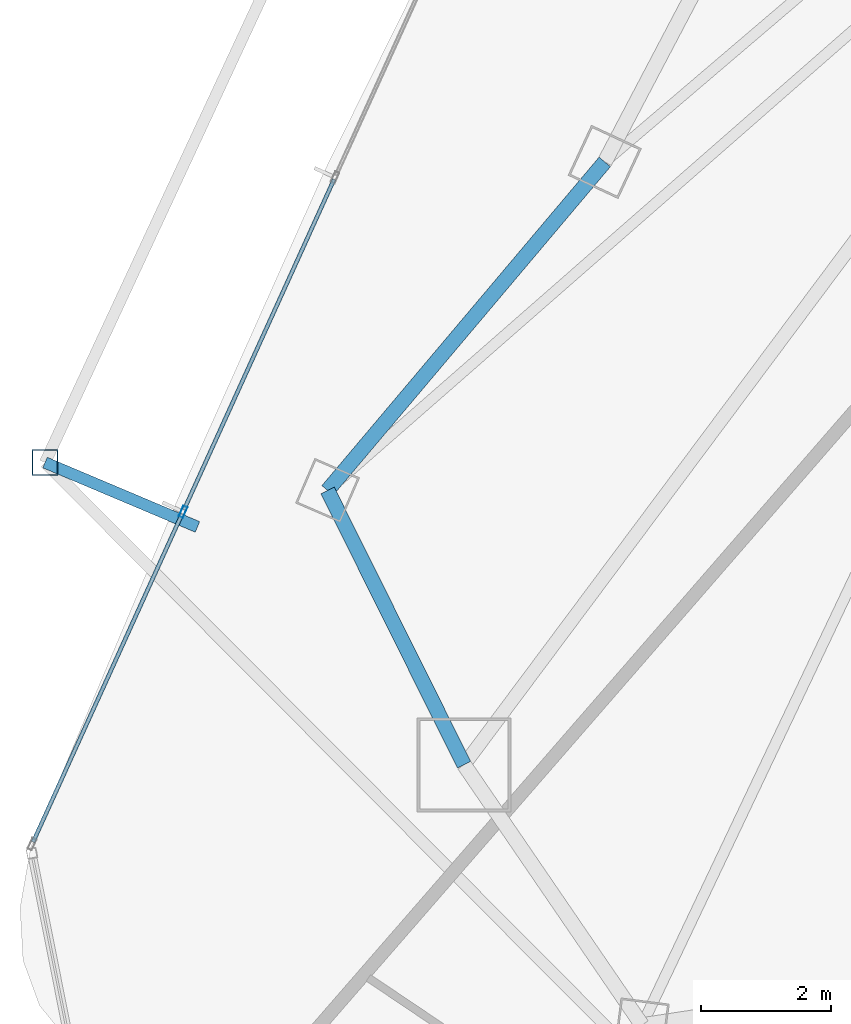
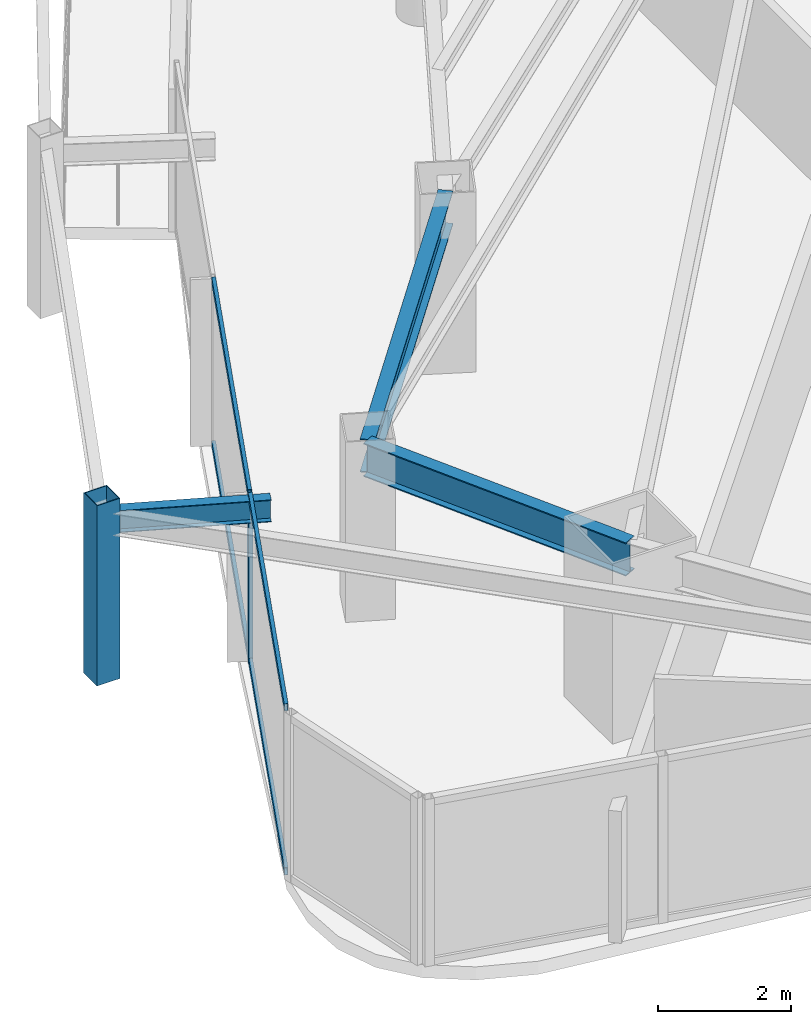
# One storey, part 5 of 30: 6 members, 3 beams, 1 element without a shape of its own.
"""IFC4 building model written with IfcOpenShell, lengths in metres."""

from ifc_helpers import new_model, si_unit, direction, frame, origin, origin_2d, place, context, subcontext, project, spatial, hollow_rectangle, i_section, extrude, material, layer, layer_set, material_profile, profile_set, type_object, element, aggregate, save


model = new_model("IFC4")

# Units and contexts
model_context = context("Model", 3, precision=1e-05, world=origin(), true_north=direction((0.0, 1.0)))
body_context = subcontext(model_context, "Body", "Model", "MODEL_VIEW")
ifc_project = project(units=[si_unit("LENGTHUNIT", "METRE"), si_unit("AREAUNIT", "SQUARE_METRE"), si_unit("VOLUMEUNIT", "CUBIC_METRE"), si_unit("PLANEANGLEUNIT", "RADIAN"), si_unit("MASSUNIT", "GRAM", prefix="KILO")], contexts=[model_context])

# Site, building, storey
site_placement = place(None, origin())
site = spatial("IfcSite", under=ifc_project, at=site_placement, CompositionType="ELEMENT")
building_placement = place(site_placement, origin())
building = spatial("IfcBuilding", under=site, at=building_placement, Name="Orvanel Arch Residences", CompositionType="ELEMENT")
storey_placement = place(building_placement, frame((0.0, 0.0, 136.39990234375)))
storey = spatial("IfcBuildingStorey", under=building, at=storey_placement, Name="L38", CompositionType="ELEMENT", Elevation=136.39990234375)

# Curtain wall, member
ifc_material_1 = material(Name="Bronze-anodised aluminium AA6063-T6", Category="aluminium")
ifc_layer = layer(ifc_material_1, 0.179931640625)
ifc_layer_set = layer_set([ifc_layer], Name="Bronze-anodised aluminium AA6063-T6")
curtain_wall_type = type_object("IfcCurtainWallType", Name="CW3-MID-SYS", PredefinedType="NOTDEFINED", material=ifc_layer_set)
curtain_wall_placement = place(storey_placement, origin())
curtain_wall = element("IfcCurtainWall", 1, at=curtain_wall_placement, inside=storey, type_object=curtain_wall_type, Name="L38 CW3-MID-SYS Unitised Curtain Wall", PredefinedType="NOTDEFINED")
ifc_material_profile_1 = material_profile(ifc_material_1, hollow_rectangle(XDim=0.070068359375, YDim=0.179931640625, WallThickness=0.00439453125, at=origin_2d()), Name="ALU180x70x4.5")
ifc_profile_set_1 = profile_set([ifc_material_profile_1], Name="Bronze-anodised aluminium AA6063-T6")
member_type_1 = type_object("IfcMemberType", Name="MUL-180x70", PredefinedType="MULLION", material=ifc_profile_set_1)
member_1_placement = place(storey_placement, frame((9.868408203125, 14.250732421875, 0.0), z_axis=(0.0, 0.0, 1.0), x_axis=(0.910449142842, -0.413621032225, 0.0)))
member_1 = element("IfcMember", 2, at=member_1_placement, type_object=member_type_1, Name="CW-S3 mullion 3", PredefinedType="MULLION", context=body_context, shape_type="SweptSolid", body=[
    extrude(hollow_rectangle(XDim=0.070068359375, YDim=0.179931640625, WallThickness=0.00439453125, at=origin_2d()), origin(), (0.0, 0.0, 1.0), 3.06005859375),
])

# Beams
ifc_material_2 = material(Name="Structural steel AS/NZS 3679.1 Grade 300 (300 MPa)", Category="steel")
ifc_material_profile_2 = material_profile(ifc_material_2, i_section(OverallWidth=0.177978515625, OverallDepth=0.406005859375, WebThickness=0.0078125, FlangeThickness=0.0126953125, at=origin_2d()), Name="410UB59.7")
ifc_profile_set_2 = profile_set([ifc_material_profile_2], Name="Structural steel AS/NZS 3679.1 Grade 300 (300 MPa)")
beam_type_1 = type_object("IfcBeamType", Name="OB-410UB-EXT", PredefinedType="SPANDREL", material=ifc_profile_set_2)
beam_1_placement = place(storey_placement, frame((10.090087890625, 14.01708984375, 2.857177734375), z_axis=(-0.921236599918, 0.389002733888, 0.0), x_axis=(-0.389002733888, -0.921236599918, 0.0)))
element("IfcBeam", 3, at=beam_1_placement, inside=storey, type_object=beam_type_1, Name="L38 Outer Frame Radial Tie Beam 04", PredefinedType="SPANDREL", context=body_context, shape_type="SweptSolid", body=[
    extrude(i_section(OverallWidth=0.177978515625, OverallDepth=0.406005859375, WebThickness=0.0078125, FlangeThickness=0.0126953125, at=origin_2d()), origin(), (0.0, 0.0, 1.0), 2.550048828125),
])
ifc_material_profile_3 = material_profile(ifc_material_2, i_section(OverallWidth=0.22900390625, OverallDepth=0.612060546875, WebThickness=0.011962890625, FlangeThickness=0.01953125, at=origin_2d()), Name="610UB125")
ifc_profile_set_3 = profile_set([ifc_material_profile_3], Name="Structural steel AS/NZS 3679.1 Grade 300 (300 MPa)")
beam_type_2 = type_object("IfcBeamType", Name="SP-610UB", PredefinedType="SPANDREL", material=ifc_profile_set_3)
beam_2_placement = place(storey_placement, frame((16.366943359375, 19.64208984375, 2.754150390625), z_axis=(-0.644950329775, -0.764224490659, 0.0), x_axis=(0.764224490659, -0.644950329775, 0.0)))
element("IfcBeam", 4, at=beam_2_placement, inside=storey, type_object=beam_type_2, Name="L38 Perimeter Spandrel Beam 01", PredefinedType="SPANDREL", context=body_context, shape_type="SweptSolid", body=[
    extrude(i_section(OverallWidth=0.22900390625, OverallDepth=0.612060546875, WebThickness=0.011962890625, FlangeThickness=0.01953125, at=origin_2d()), origin(), (0.0, 0.0, 1.0), 6.623779296875),
])
beam_3_placement = place(storey_placement, frame((12.094970703125, 14.580078125, 2.754150390625), z_axis=(0.44543469453, -0.895314432425, 0.0), x_axis=(0.895314432425, 0.44543469453, 0.0)))
element("IfcBeam", 5, at=beam_3_placement, inside=storey, type_object=beam_type_2, Name="L38 Perimeter Spandrel Beam 02", PredefinedType="SPANDREL", context=body_context, shape_type="SweptSolid", body=[
    extrude(i_section(OverallWidth=0.22900390625, OverallDepth=0.612060546875, WebThickness=0.011962890625, FlangeThickness=0.01953125, at=origin_2d()), origin(), (0.0, 0.0, 1.0), 4.723388671875),
])

# Member
ifc_material_3 = material(Name="Structural steel AS/NZS 1163 C450L0 (Grade 450)", Category="steel")
ifc_material_profile_4 = material_profile(ifc_material_3, hollow_rectangle(XDim=0.39990234375, YDim=0.39990234375, WallThickness=0.01611328125, at=origin_2d()), Name="SHS400x400x16")
ifc_profile_set_4 = profile_set([ifc_material_profile_4], Name="Structural steel AS/NZS 1163 C450L0 (Grade 450)")
member_type_2 = type_object("IfcMemberType", Name="ST-400SHS-EXT", PredefinedType="STRUT", material=ifc_profile_set_4)
member_2_placement = place(storey_placement, frame((7.740966796875, 15.009033203125, 0.0), z_axis=(0.0, 0.0, 1.0), x_axis=(1.0, 0.0, 0.0)))
element("IfcMember", 6, at=member_2_placement, inside=storey, type_object=member_type_2, Name="L38 Outer Perimeter Frame Post 04", PredefinedType="STRUT", context=body_context, shape_type="SweptSolid", body=[
    extrude(hollow_rectangle(XDim=0.39990234375, YDim=0.39990234375, WallThickness=0.01611328125, at=origin_2d()), origin(), (0.0, 0.0, 1.0), 3.300048828125),
])

ifc_material_profile_5 = material_profile(ifc_material_1, hollow_rectangle(XDim=0.06005859375, YDim=0.135009765625, WallThickness=0.00390625, at=origin_2d()), Name="ALU135x60x4")
ifc_profile_set_5 = profile_set([ifc_material_profile_5], Name="Bronze-anodised aluminium AA6063-T6")
member_type_3 = type_object("IfcMemberType", Name="TRN-135x60", PredefinedType="USERDEFINED", material=ifc_profile_set_5)
member_3_placement = place(storey_placement, frame((12.195068359375, 19.37255859375, 0.030029296875), z_axis=(-0.413592363241, -0.910462166742, 0.0), x_axis=(0.910462166742, -0.413592363241, 0.0)))
member_3 = element("IfcMember", 7, at=member_3_placement, type_object=member_type_3, Name="CW-S3 transom 2.1", ObjectType="TRANSOM", PredefinedType="USERDEFINED", context=body_context, shape_type="SweptSolid", body=[
    extrude(hollow_rectangle(XDim=0.06005859375, YDim=0.135009765625, WallThickness=0.00390625, at=origin_2d()), origin(), (0.0, 0.0, 1.0), 5.590576171875),
])

member_4_placement = place(storey_placement, frame((12.195068359375, 19.37255859375, 3.030029296875), z_axis=(-0.413592363241, -0.910462166742, 0.0), x_axis=(0.910462166742, -0.413592363241, 0.0)))
member_4 = element("IfcMember", 8, at=member_4_placement, type_object=member_type_3, Name="CW-S3 transom 2.2", ObjectType="TRANSOM", PredefinedType="USERDEFINED", context=body_context, shape_type="SweptSolid", body=[
    extrude(hollow_rectangle(XDim=0.06005859375, YDim=0.135009765625, WallThickness=0.00390625, at=origin_2d()), origin(), (0.0, 0.0, 1.0), 5.590576171875),
])

member_5_placement = place(storey_placement, frame((9.853759765625, 14.21875, 0.030029296875), z_axis=(-0.413610901204, -0.910453745341, 0.0), x_axis=(0.910453745341, -0.413610901204, 0.0)))
member_5 = element("IfcMember", 9, at=member_5_placement, type_object=member_type_3, Name="CW-S3 transom 3.1", ObjectType="TRANSOM", PredefinedType="USERDEFINED", context=body_context, shape_type="SweptSolid", body=[
    extrude(hollow_rectangle(XDim=0.06005859375, YDim=0.135009765625, WallThickness=0.00390625, at=origin_2d()), origin(), (0.0, 0.0, 1.0), 5.5556640625),
])

member_6_placement = place(storey_placement, frame((9.853759765625, 14.21875, 3.030029296875), z_axis=(-0.413610901204, -0.910453745341, 0.0), x_axis=(0.910453745341, -0.413610901204, 0.0)))
member_6 = element("IfcMember", 10, at=member_6_placement, type_object=member_type_3, Name="CW-S3 transom 3.2", ObjectType="TRANSOM", PredefinedType="USERDEFINED", context=body_context, shape_type="SweptSolid", body=[
    extrude(hollow_rectangle(XDim=0.06005859375, YDim=0.135009765625, WallThickness=0.00390625, at=origin_2d()), origin(), (0.0, 0.0, 1.0), 5.5556640625),
])

aggregate(curtain_wall, [member_1, member_3, member_4, member_5, member_6])

save(model, "model.ifc")
